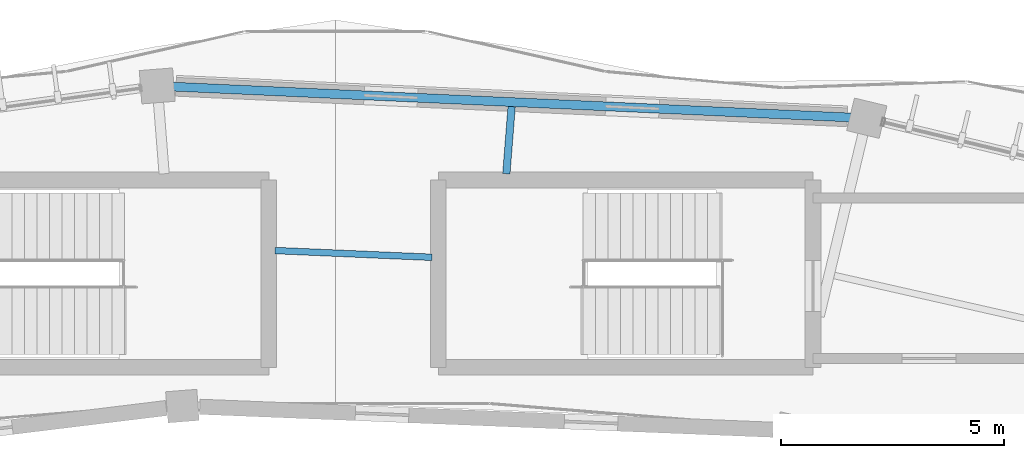
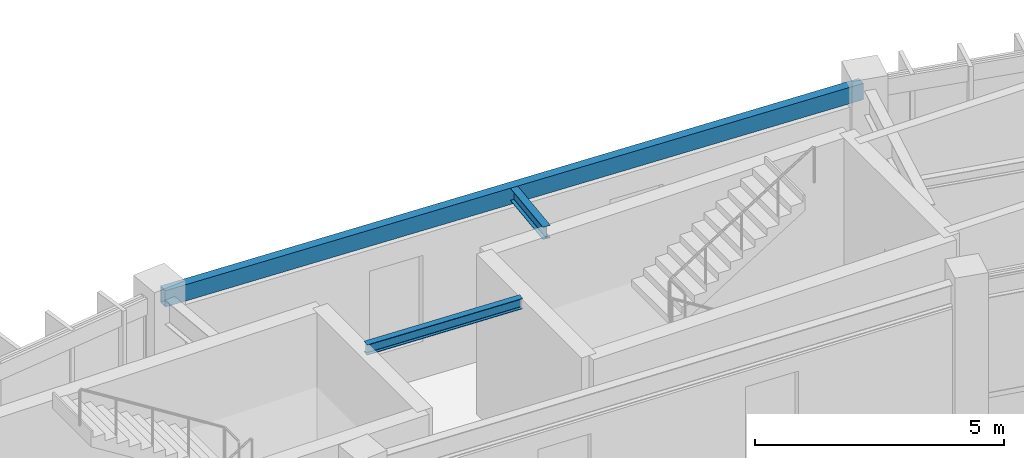
# One storey, part 76 of 152: 3 beams.
"""IFC4 building model written with IfcOpenShell, lengths in metres."""

from ifc_helpers import new_model, si_unit, direction, frame, origin, origin_2d, place, context, subcontext, project, spatial, hollow_rectangle, i_section, extrude, material, material_profile, profile_set, type_object, element, save


model = new_model("IFC4")

# Units and contexts
model_context = context("Model", 3, precision=1e-05, world=origin(), true_north=direction((0.0, 1.0)))
body_context = subcontext(model_context, "Body", "Model", "MODEL_VIEW")
ifc_project = project(units=[si_unit("LENGTHUNIT", "METRE"), si_unit("AREAUNIT", "SQUARE_METRE"), si_unit("VOLUMEUNIT", "CUBIC_METRE"), si_unit("PLANEANGLEUNIT", "RADIAN"), si_unit("MASSUNIT", "GRAM", prefix="KILO"), si_unit("THERMODYNAMICTEMPERATUREUNIT", "KELVIN"), si_unit("POWERUNIT", "WATT")], contexts=[model_context])

# Site, building, storey
site_placement = place(None, origin())
site = spatial("IfcSite", under=ifc_project, at=site_placement, CompositionType="ELEMENT")
building_placement = place(site_placement, origin())
building = spatial("IfcBuilding", under=site, at=building_placement, Name="Darbajah Civic Hall", CompositionType="ELEMENT")
storey_placement = place(building_placement, frame((0.0, 0.0, 5.39990234375)))
storey = spatial("IfcBuildingStorey", under=building, at=storey_placement, Name="L01", CompositionType="ELEMENT", Elevation=5.39990234375)

# Beams
ifc_material = material(Name="Steel S355JR", Category="steel")
ifc_material_profile_1 = material_profile(ifc_material, hollow_rectangle(XDim=0.199951171875, YDim=0.39990234375, WallThickness=0.013916015625, at=origin_2d()), Name="RHS 400x200x14")
ifc_profile_set_1 = profile_set([ifc_material_profile_1], Name="Steel S355JR")
beam_type_1 = type_object("IfcBeamType", Name="RHS 400x200x14", PredefinedType="SPANDREL", material=ifc_profile_set_1)
beam_1_placement = place(storey_placement, frame((100.92578125, 118.488525390625, 3.72021484375), z_axis=(-0.998964928608, 0.04548704664, 0.0), x_axis=(-0.04548704664, -0.998964928608, 0.0)))
element("IfcBeam", 1, at=beam_1_placement, inside=storey, type_object=beam_type_1, Name="L01 beam SP-RHS400", PredefinedType="SPANDREL", context=body_context, shape_type="SweptSolid", body=[
    extrude(hollow_rectangle(XDim=0.199951171875, YDim=0.39990234375, WallThickness=0.013916015625, at=origin_2d()), origin(), (0.0, 0.0, 1.0), 15.763671875),
])
ifc_material_profile_2 = material_profile(ifc_material, i_section(OverallWidth=0.146484375, OverallDepth=0.256103515625, WebThickness=0.00634765625, FlangeThickness=0.010986328125, FilletRadius=0.007568359375, at=origin_2d()), Name="UB 254x146x37")
ifc_profile_set_2 = profile_set([ifc_material_profile_2], Name="Steel S355JR")
beam_type_2 = type_object("IfcBeamType", Name="UB 254x146x37", PredefinedType="JOIST", material=ifc_profile_set_2)
beam_2_placement = place(storey_placement, frame((91.260009765625, 115.3671875, 3.7919921875), z_axis=(-0.999073726109, 0.043031265357, 0.0), x_axis=(-0.043031265357, -0.999073726109, 0.0)))
element("IfcBeam", 2, at=beam_2_placement, inside=storey, type_object=beam_type_2, Name="L01 beam SJ-254", PredefinedType="JOIST", context=body_context, shape_type="SweptSolid", body=[
    extrude(i_section(OverallWidth=0.146484375, OverallDepth=0.256103515625, WebThickness=0.00634765625, FlangeThickness=0.010986328125, FilletRadius=0.007568359375, at=origin_2d()), origin(), (0.0, 0.0, 1.0), 3.523193359375),
])
ifc_material_profile_3 = material_profile(ifc_material, i_section(OverallWidth=0.165771484375, OverallDepth=0.306640625, WebThickness=0.006591796875, FlangeThickness=0.01171875, FilletRadius=0.0087890625, at=origin_2d()), Name="UB 305x165x46")
ifc_profile_set_3 = profile_set([ifc_material_profile_3], Name="Steel S355JR")
beam_type_3 = type_object("IfcBeamType", Name="UB 305x165x46", PredefinedType="JOIST", material=ifc_profile_set_3)
beam_3_placement = place(storey_placement, frame((92.925537109375, 117.239990234375, 3.766845703125), z_axis=(0.078575634668, 0.996908155066, 0.0), x_axis=(-0.996908155066, 0.078575634668, 0.0)))
element("IfcBeam", 3, at=beam_3_placement, inside=storey, type_object=beam_type_3, Name="L01 beam SJ-305", PredefinedType="JOIST", context=body_context, shape_type="SweptSolid", body=[
    extrude(i_section(OverallWidth=0.165771484375, OverallDepth=0.306640625, WebThickness=0.006591796875, FlangeThickness=0.01171875, FilletRadius=0.0087890625, at=origin_2d()), origin(), (0.0, 0.0, 1.0), 1.510009765625),
])

save(model, "model.ifc")
